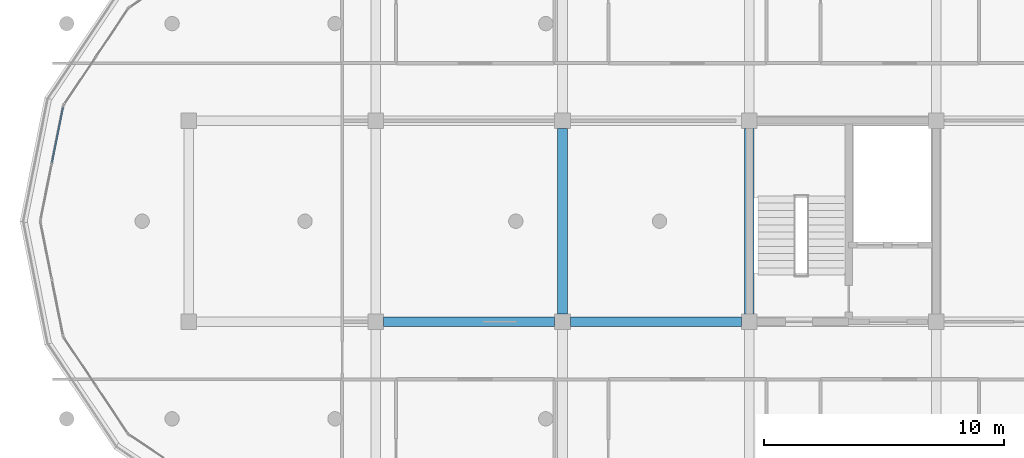
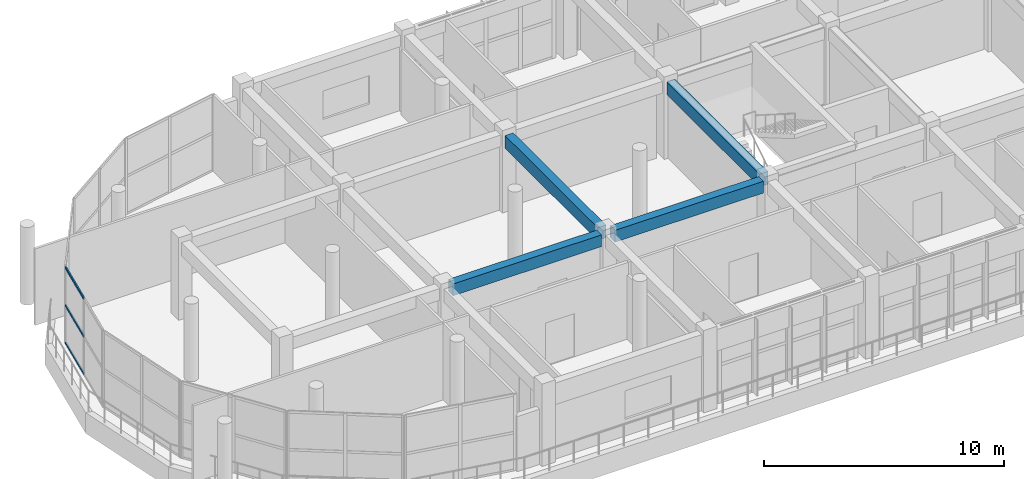
# One storey, part 7 of 57: 4 beams, 3 members, 1 element without a shape of its own.
"""IFC4 building model written with IfcOpenShell, lengths in metres."""

from ifc_helpers import new_model, si_unit, direction, frame, origin, origin_2d, place, context, subcontext, project, spatial, rectangle, hollow_rectangle, extrude, material, layer, layer_set, material_profile, profile_set, type_object, element, aggregate, save


model = new_model("IFC4")

# Units and contexts
model_context = context("Model", 3, precision=1e-05, world=origin(), true_north=direction((0.0, 1.0)))
body_context = subcontext(model_context, "Body", "Model", "MODEL_VIEW")
ifc_project = project(units=[si_unit("LENGTHUNIT", "METRE"), si_unit("AREAUNIT", "SQUARE_METRE"), si_unit("VOLUMEUNIT", "CUBIC_METRE"), si_unit("PLANEANGLEUNIT", "RADIAN"), si_unit("MASSUNIT", "GRAM", prefix="KILO")], contexts=[model_context])

# Site, building, storey
site_placement = place(None, origin())
site = spatial("IfcSite", under=ifc_project, at=site_placement, CompositionType="ELEMENT")
building_placement = place(site_placement, origin())
building = spatial("IfcBuilding", under=site, at=building_placement, Name="Zizhar Promenade General Hospital", CompositionType="ELEMENT")
storey_placement = place(building_placement, frame((0.0, 0.0, 22.199951171875)))
storey = spatial("IfcBuildingStorey", under=building, at=storey_placement, Name="L05", CompositionType="ELEMENT", Elevation=22.199951171875)

# Beams
ifc_material_1 = material(Name="Concrete C35/45", Category="concrete")
ifc_material_profile_1 = material_profile(ifc_material_1, rectangle(XDim=0.39990234375, YDim=0.60009765625, at=origin_2d()))
ifc_profile_set_1 = profile_set([ifc_material_profile_1], Name="Concrete C35/45")
beam_type_1 = type_object("IfcBeamType", Name="BM-RC-400x600", PredefinedType="JOIST", material=ifc_profile_set_1)
for number, where, z_axis, x_axis, name in (
    (1, (31.52490234375, 8.39990234375, 3.610107421875), (1.0, 0.0, 0.0), (0.0, 1.0, 0.0), "Grid Beam X L05 (4-1)"),
    (2, (39.324951171875, 8.39990234375, 3.610107421875), (1.0, 0.0, 0.0), (0.0, 1.0, 0.0), "Grid Beam X L05 (5-1)"),
):
    element("IfcBeam", number, at=place(storey_placement, frame(where, z_axis=z_axis, x_axis=x_axis)), inside=storey, type_object=beam_type_1, Name=name, PredefinedType="JOIST", context=body_context, shape_type="SweptSolid", body=[
        extrude(rectangle(XDim=0.39990234375, YDim=0.60009765625, at=origin_2d()), origin(), (0.0, 0.0, 1.0), 7.150146484375),
    ])
ifc_material_2 = material(Name="Concrete C35/45", Category="concrete")
ifc_material_profile_2 = material_profile(ifc_material_2, rectangle(XDim=0.39990234375, YDim=0.64990234375, at=origin_2d()))
ifc_profile_set_2 = profile_set([ifc_material_profile_2], Name="Concrete C35/45")
beam_type_2 = type_object("IfcBeamType", Name="BM-RC-400x650", PredefinedType="BEAM", material=ifc_profile_set_2)
for number, where, z_axis, x_axis, name in (
    (3, (39.0, 8.72509765625, 3.5849609375), (0.0, 1.0, 0.0), (-1.0, 0.0, 0.0), "Grid Beam Y L05 (5-1)"),
    (4, (46.800048828125, 8.72509765625, 3.5849609375), (0.0, 1.0, 0.0), (-1.0, 0.0, 0.0), "Grid Beam Y L05 (6-1)"),
):
    element("IfcBeam", number, at=place(storey_placement, frame(where, z_axis=z_axis, x_axis=x_axis)), inside=storey, type_object=beam_type_2, Name=name, PredefinedType="BEAM", context=body_context, shape_type="SweptSolid", body=[
        extrude(rectangle(XDim=0.39990234375, YDim=0.64990234375, at=origin_2d()), origin(), (0.0, 0.0, 1.0), 7.75),
    ])

# Curtain wall, members
ifc_material_3 = material(Name="Anodised aluminium 6063-T6 and low-E glass", Category="aluminium")
ifc_layer = layer(ifc_material_3, 0.159912109375)
ifc_layer_set = layer_set([ifc_layer], Name="Anodised aluminium 6063-T6 and low-E glass")
curtain_wall_type = type_object("IfcCurtainWallType", Name="CW-WARD-ARC", PredefinedType="NOTDEFINED", material=ifc_layer_set)
curtain_wall_placement = place(storey_placement, origin())
curtain_wall = element("IfcCurtainWall", 5, at=curtain_wall_placement, inside=storey, type_object=curtain_wall_type, Name="Ward Semicircular End Glazing L05-13", PredefinedType="NOTDEFINED")
ifc_material_4 = material(Name="Anodised aluminium 6063-T6", Category="aluminium")
ifc_material_profile_3 = material_profile(ifc_material_4, hollow_rectangle(XDim=0.06005859375, YDim=0.1201171875, WallThickness=0.00390625, at=origin_2d()))
ifc_profile_set_3 = profile_set([ifc_material_profile_3], Name="Anodised aluminium 6063-T6")
member_type = type_object("IfcMemberType", Name="CWT-ALU-120x60", PredefinedType="USERDEFINED", material=ifc_profile_set_3)
member_1_placement = place(storey_placement, frame((17.685302734375, 15.040283203125, 0.030029296875), z_axis=(0.195144637465, 0.980774474825, 0.0), x_axis=(-0.980774474825, 0.195144637465, 0.0)))
member_1 = element("IfcMember", 6, at=member_1_placement, type_object=member_type, Name="CW-12 transom 2.1", ObjectType="TRANSOM", PredefinedType="USERDEFINED", context=body_context, shape_type="SweptSolid", body=[
    extrude(hollow_rectangle(XDim=0.06005859375, YDim=0.1201171875, WallThickness=0.00390625, at=origin_2d()), origin(), (0.0, 0.0, 1.0), 2.3681640625),
])
member_2_placement = place(storey_placement, frame((17.685302734375, 15.040283203125, 1.949951171875), z_axis=(0.195144637465, 0.980774474825, 0.0), x_axis=(-0.980774474825, 0.195144637465, 0.0)))
member_2 = element("IfcMember", 7, at=member_2_placement, type_object=member_type, Name="CW-12 transom 2.2", ObjectType="TRANSOM", PredefinedType="USERDEFINED", context=body_context, shape_type="SweptSolid", body=[
    extrude(hollow_rectangle(XDim=0.06005859375, YDim=0.1201171875, WallThickness=0.00390625, at=origin_2d()), origin(), (0.0, 0.0, 1.0), 2.3681640625),
])
member_3_placement = place(storey_placement, frame((17.685302734375, 15.040283203125, 3.8701171875), z_axis=(0.195144637465, 0.980774474825, 0.0), x_axis=(-0.980774474825, 0.195144637465, 0.0)))
member_3 = element("IfcMember", 8, at=member_3_placement, type_object=member_type, Name="CW-12 transom 2.3", ObjectType="TRANSOM", PredefinedType="USERDEFINED", context=body_context, shape_type="SweptSolid", body=[
    extrude(hollow_rectangle(XDim=0.06005859375, YDim=0.1201171875, WallThickness=0.00390625, at=origin_2d()), origin(), (0.0, 0.0, 1.0), 2.3681640625),
])
aggregate(curtain_wall, [member_1, member_2, member_3])

save(model, "model.ifc")
